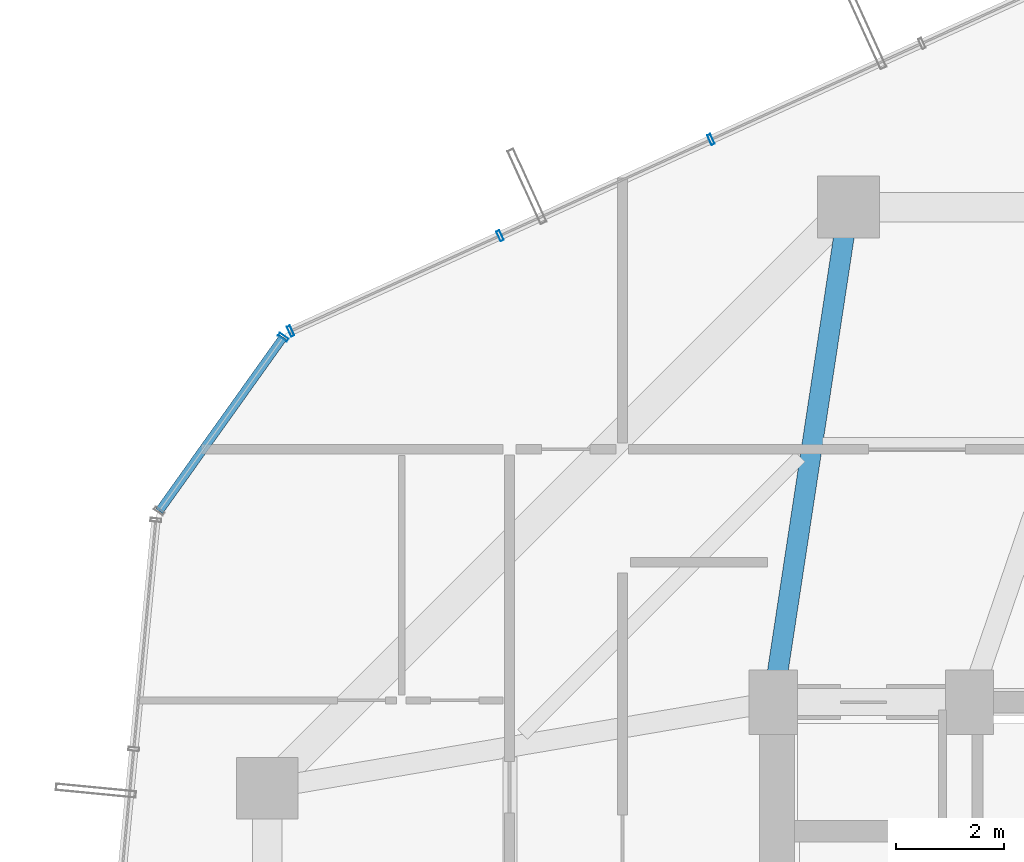
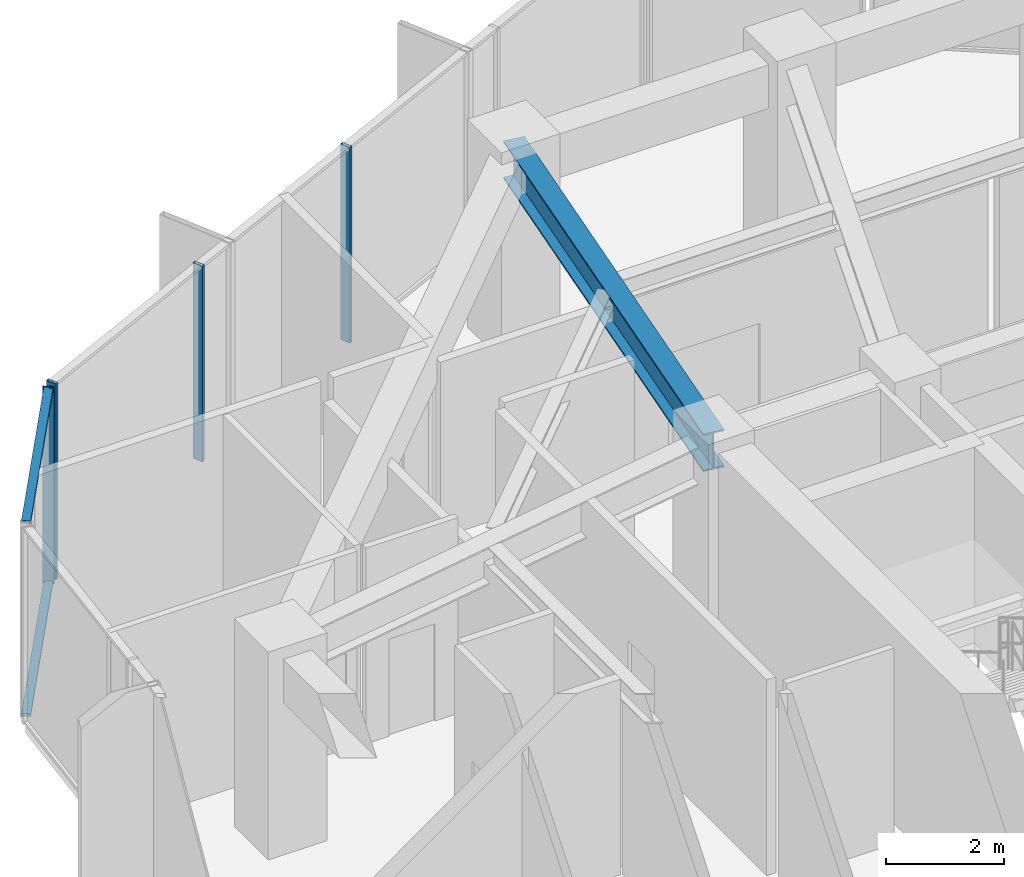
# One storey, part 15 of 25: 6 members, 1 beam, 2 elements without a shape of their own.
"""IFC4 building model written with IfcOpenShell, lengths in metres."""

import ifcopenshell
import ifcopenshell.guid

model = None  # the IFC model being written
_history = None  # IfcOwnerHistory: only IFC2X3 demands one
_inside = {}  # id of a spatial element -> (the spatial element, [elements in it])
_under = {}  # id of a project, library or spatial element -> (it, [spatial elements below it])
_declared = {}  # id of a project -> (the project, [libraries it declares])
_typed = {}  # id of a type object -> (the type object, [elements of that type])
_made_of = {}  # id of a material, layer set ... -> (it, [elements and type objects made of it])


def new_model(schema):
    """Start an empty IFC model of exactly this schema.

    Asked for "IFC4X3", IfcOpenShell would pick the latest addendum, in which some entities
    have other attributes; the version numbers below select the first issue.
    IFC2X3 requires an IfcOwnerHistory on every rooted entity: one is made here for all.
    """
    global model, _history
    if schema == "IFC4X3":
        model = ifcopenshell.file(schema_version=(4, 3, 0, 0))
    else:
        model = ifcopenshell.file(schema=schema)
    _inside.clear()
    _under.clear()
    _declared.clear()
    _typed.clear()
    _made_of.clear()
    _history = None
    if model.schema == "IFC2X3":
        org = make("IfcOrganization", Name="unknown")
        user = make(
            "IfcPersonAndOrganization",
            ThePerson=make("IfcPerson", FamilyName="unknown"),
            TheOrganization=org,
        )
        app = make(
            "IfcApplication",
            ApplicationDeveloper=org,
            Version="unknown",
            ApplicationFullName="unknown",
            ApplicationIdentifier="unknown",
        )
        _history = make(
            "IfcOwnerHistory",
            OwningUser=user,
            OwningApplication=app,
            ChangeAction="ADDED",
            CreationDate=0,
        )
    return model


def make(cls, **values):
    """One entity of the class cls with the attributes given. An attribute that is None is left unset."""
    return model.create_entity(
        cls, **{name: value for name, value in values.items() if value is not None}
    )


def rooted(cls, **values):
    """An entity with a GlobalId (a new one), such as an element, a storey or a relation."""
    return make(cls, GlobalId=ifcopenshell.guid.new(), OwnerHistory=_history, **values)


def si_unit(unit_type, name, prefix=None):
    """IfcSIUnit, for example si_unit("LENGTHUNIT", "METRE", prefix="MILLI")."""
    return make("IfcSIUnit", UnitType=unit_type, Prefix=prefix, Name=name)


def assignment(units):
    """IfcUnitAssignment: the units of a project."""
    return None if units is None else make("IfcUnitAssignment", Units=units)


def point(xyz):
    """IfcCartesianPoint."""
    return None if xyz is None else make("IfcCartesianPoint", Coordinates=xyz)


def direction(xyz):
    """IfcDirection."""
    return None if xyz is None else make("IfcDirection", DirectionRatios=xyz)


def frame(location, z_axis=None, x_axis=None):
    """IfcAxis2Placement3D, a coordinate frame: its origin and axes. An axis left out is left unset."""
    return make(
        "IfcAxis2Placement3D",
        Location=point(location),
        Axis=direction(z_axis),
        RefDirection=direction(x_axis),
    )


def frame_2d(location, x_axis=None):
    """IfcAxis2Placement2D, a coordinate frame in the plane: its origin and x axis."""
    return make(
        "IfcAxis2Placement2D", Location=point(location), RefDirection=direction(x_axis)
    )


def origin():
    """The frame at (0, 0, 0) with its axes left unset."""
    return frame((0.0, 0.0, 0.0))


def origin_2d():
    """The frame at (0, 0) in the plane with its x axis left unset."""
    return frame_2d((0.0, 0.0))


def place(relative_to, where):
    """IfcLocalPlacement: puts the frame where relative to a parent placement (None: the world)."""
    return make(
        "IfcLocalPlacement", PlacementRelTo=relative_to, RelativePlacement=where
    )


def context(
    kind, dimensions, precision=None, world=None, true_north=None, identifier=None
):
    """IfcGeometricRepresentationContext, for example the 3D "Model" context."""
    return make(
        "IfcGeometricRepresentationContext",
        ContextIdentifier=identifier,
        ContextType=kind,
        CoordinateSpaceDimension=dimensions,
        Precision=precision,
        WorldCoordinateSystem=world,
        TrueNorth=true_north,
    )


def subcontext(parent, identifier, kind, view, scale=None):
    """IfcGeometricRepresentationSubContext, for example "Body" below "Model"."""
    return make(
        "IfcGeometricRepresentationSubContext",
        ContextIdentifier=identifier,
        ContextType=kind,
        ParentContext=parent,
        TargetScale=scale,
        TargetView=view,
    )


def project(units=None, contexts=None):
    """IfcProject with its units and contexts."""
    return rooted(
        "IfcProject",
        Name="project",
        RepresentationContexts=contexts,
        UnitsInContext=assignment(units),
    )


def spatial(cls, under=None, at=None, **own):
    """A site, building, storey or space (cls), placed at a placement, below another one or the project."""
    s = rooted(cls, ObjectPlacement=at, **own)
    if under is not None:
        _under.setdefault(under.id(), (under, []))[1].append(s)
    return s


def profile(cls, at=None, kind="AREA", **sizes):
    """A parametric profile (cls). Its sizes go by their IFC names, for example OverallWidth=200.0."""
    return make(cls, ProfileType=kind, Position=at, **sizes)


def hollow_rectangle(**sizes):
    """IfcRectangleHollowProfileDef."""
    return profile("IfcRectangleHollowProfileDef", **sizes)


def i_section(**sizes):
    """IfcIShapeProfileDef."""
    return profile("IfcIShapeProfileDef", **sizes)


def extrude(swept, where, along, depth):
    """IfcExtrudedAreaSolid: the profile swept, set in the frame where, extruded along a direction by depth."""
    return make(
        "IfcExtrudedAreaSolid",
        SweptArea=swept,
        Position=where,
        ExtrudedDirection=direction(along),
        Depth=depth,
    )


def shape(context_of_items, identifier, shape_type, items):
    """IfcShapeRepresentation: the items that make up one representation, for example the "Body"."""
    return make(
        "IfcShapeRepresentation",
        ContextOfItems=context_of_items,
        RepresentationIdentifier=identifier,
        RepresentationType=shape_type,
        Items=items,
    )


def source(mapping_origin, context_of_items, identifier, shape_type, items):
    """IfcRepresentationMap: a shape defined once, which mapped items show again and again."""
    return make(
        "IfcRepresentationMap",
        MappingOrigin=mapping_origin,
        MappedRepresentation=shape(context_of_items, identifier, shape_type, items),
    )


def transform(
    local_origin,
    x_axis=None,
    y_axis=None,
    z_axis=None,
    scale=None,
    scale2=None,
    scale3=None,
    uniform=True,
):
    """IfcCartesianTransformationOperator3D, or its non-uniform kind. x_axis, y_axis, z_axis: its Axis1, 2, 3."""
    if uniform:
        return make(
            "IfcCartesianTransformationOperator3D",
            Axis1=direction(x_axis),
            Axis2=direction(y_axis),
            LocalOrigin=point(local_origin),
            Scale=scale,
            Axis3=direction(z_axis),
        )
    return make(
        "IfcCartesianTransformationOperator3DnonUniform",
        Axis1=direction(x_axis),
        Axis2=direction(y_axis),
        LocalOrigin=point(local_origin),
        Scale=scale,
        Axis3=direction(z_axis),
        Scale2=scale2,
        Scale3=scale3,
    )


def mapped(mapping_source, mapping_target):
    """IfcMappedItem: shows the shape of a source again, moved by a transform."""
    return make(
        "IfcMappedItem", MappingSource=mapping_source, MappingTarget=mapping_target
    )


def material(Name=None, Category=None):
    """IfcMaterial."""
    return make("IfcMaterial", Name=Name, Category=Category)


def layer(
    of_material, thickness, ventilated=None, Name=None, Category=None, Priority=None
):
    """IfcMaterialLayer: one layer of a wall or slab, of a material (None: an air gap)."""
    return make(
        "IfcMaterialLayer",
        Material=of_material,
        LayerThickness=thickness,
        IsVentilated=ventilated,
        Name=Name,
        Category=Category,
        Priority=Priority,
    )


def layer_set(layers, Name=None):
    """IfcMaterialLayerSet."""
    return make("IfcMaterialLayerSet", MaterialLayers=layers, LayerSetName=Name)


def material_profile(
    of_material, cross_section, Name=None, Category=None, Priority=None
):
    """IfcMaterialProfile: a cross section and its material."""
    return make(
        "IfcMaterialProfile",
        Name=Name,
        Material=of_material,
        Profile=cross_section,
        Priority=Priority,
        Category=Category,
    )


def profile_set(profiles, Name=None, composite=None):
    """IfcMaterialProfileSet."""
    return make(
        "IfcMaterialProfileSet",
        Name=Name,
        MaterialProfiles=profiles,
        CompositeProfile=composite,
    )


def made_of(thing, what):
    """Note that an element or type object is made of a material, layer set ...; save() writes the relation."""
    if what is not None:
        _made_of.setdefault(what.id(), (what, []))[1].append(thing)
    return thing


def type_object(cls, material=None, **own):
    """A type object (cls), such as IfcWallType, which elements share."""
    return made_of(rooted(cls, **own), material)


def element(
    cls,
    number,
    at=None,
    inside=None,
    cuts=None,
    type_object=None,
    material=None,
    context=None,
    identifier="Body",
    shape_type=None,
    held_by="IfcProductDefinitionShape",
    body=None,
    shapes=None,
    **own,
):
    """One element of the class cls, such as IfcWall. Its Tag is "e" and its number.

    at: its placement. inside: the storey or other place that contains it. cuts: it is an
    opening in that element (IfcRelVoidsElement). A single representation is given by context,
    identifier, shape_type and body (its items); several are given by shapes. held_by: the class
    of the entity that holds the representations. save() writes the other relations.
    """
    e = rooted(cls, Tag="e%d" % number, ObjectPlacement=at, **own)
    if body is not None:
        shapes = [shape(context, identifier, shape_type, body)]
    if shapes is not None:
        e.Representation = make(held_by, Representations=shapes)
    if inside is not None:
        _inside.setdefault(inside.id(), (inside, []))[1].append(e)
    if cuts is not None:
        rooted(
            "IfcRelVoidsElement", RelatingBuildingElement=cuts, RelatedOpeningElement=e
        )
    if type_object is not None:
        _typed.setdefault(type_object.id(), (type_object, []))[1].append(e)
    return made_of(e, material)


def aggregate(whole, parts):
    """IfcRelAggregates: a whole, such as a stair, and the parts it consists of."""
    return rooted("IfcRelAggregates", RelatingObject=whole, RelatedObjects=parts)


def save(model, path):
    """Write the relations noted so far, then the file.

    IfcRelAggregates (storeys below a building ...), IfcRelContainedInSpatialStructure (elements
    in a storey), IfcRelDefinesByType, IfcRelAssociatesMaterial and IfcRelDeclares: one each for
    every whole, place, type object, material and project.
    """
    for whole, parts in _under.values():
        aggregate(whole, parts)
    for where, things in _inside.values():
        rooted(
            "IfcRelContainedInSpatialStructure",
            RelatedElements=things,
            RelatingStructure=where,
        )
    for kind, things in _typed.values():
        rooted("IfcRelDefinesByType", RelatedObjects=things, RelatingType=kind)
    for what, things in _made_of.values():
        rooted("IfcRelAssociatesMaterial", RelatedObjects=things, RelatingMaterial=what)
    for by, libraries in _declared.values():
        rooted("IfcRelDeclares", RelatingContext=by, RelatedDefinitions=libraries)
    model.write(path)


model = new_model("IFC4")

# Units and contexts
model_context = context("Model", 3, precision=1e-05, world=origin(), true_north=direction((0.0, 1.0)))
body_context = subcontext(model_context, "Body", "Model", "MODEL_VIEW")
ifc_project = project(units=[si_unit("LENGTHUNIT", "METRE"), si_unit("AREAUNIT", "SQUARE_METRE"), si_unit("VOLUMEUNIT", "CUBIC_METRE"), si_unit("PLANEANGLEUNIT", "RADIAN"), si_unit("MASSUNIT", "GRAM", prefix="KILO")], contexts=[model_context])

# Site, building, storey
site_placement = place(None, origin())
site = spatial("IfcSite", under=ifc_project, at=site_placement, CompositionType="ELEMENT")
building_placement = place(site_placement, origin())
building = spatial("IfcBuilding", under=site, at=building_placement, Name="Veraguas Prism Commons", CompositionType="ELEMENT")
storey_placement = place(building_placement, frame((0.0, 0.0, 108.949951171875)))
storey = spatial("IfcBuildingStorey", under=building, at=storey_placement, Name="L30", CompositionType="ELEMENT", Elevation=108.949951171875)

# Beam
ifc_material_1 = material(Name="Steel ASTM A992 Grade 50", Category="steel")
ifc_material_profile_1 = material_profile(ifc_material_1, i_section(OverallWidth=0.382080078125, OverallDepth=0.779052734375, WebThickness=0.01806640625, FlangeThickness=0.030029296875, at=origin_2d()), Name="W760X284")
ifc_profile_set_1 = profile_set([ifc_material_profile_1], Name="Steel ASTM A992 Grade 50")
beam_type = type_object("IfcBeamType", Name="Assembly Primary Girder W760x284", PredefinedType="BEAM", material=ifc_profile_set_1)
beam_placement = place(storey_placement, frame((18.60009765625, 40.199951171875, 3.66064453125), z_axis=(-0.150458162136, -0.98861637729, 0.0), x_axis=(0.98861637729, -0.150458162136, 0.0)))
element("IfcBeam", 1, at=beam_placement, inside=storey, type_object=beam_type, Name="Radial Floor Girder L30-RD06", PredefinedType="BEAM", context=body_context, shape_type="SweptSolid", body=[
    extrude(i_section(OverallWidth=0.382080078125, OverallDepth=0.779052734375, WebThickness=0.01806640625, FlangeThickness=0.030029296875, at=origin_2d()), origin(), (0.0, 0.0, 1.0), 9.305908203125),
])

# Curtain wall, members
ifc_material_2 = material(Name="Anodised aluminium EN AW-6063 T6", Category="aluminium")
ifc_layer = layer(ifc_material_2, 0.199951171875, Name="Sky Lobby and Pool Acoustic Curtain Wall", Category="aluminium")
ifc_layer_set = layer_set([ifc_layer], Name="Anodised aluminium EN AW-6063 T6")
curtain_wall_type = type_object("IfcCurtainWallType", Name="Sky Lobby and Pool Acoustic Curtain Wall", PredefinedType="NOTDEFINED", material=ifc_layer_set)
curtain_wall_1_placement = place(storey_placement, origin())
curtain_wall_1 = element("IfcCurtainWall", 2, at=curtain_wall_1_placement, inside=storey, type_object=curtain_wall_type, Name="Tower Facade Curtain Wall L30-F2", PredefinedType="NOTDEFINED")
ifc_material_profile_2 = material_profile(ifc_material_2, hollow_rectangle(XDim=0.06494140625, YDim=0.199951171875, WallThickness=0.00390625, at=origin_2d()), Name="AL65X200X4")
ifc_profile_set_2 = profile_set([ifc_material_profile_2], Name="Anodised aluminium EN AW-6063 T6")
member_type_1 = type_object("IfcMemberType", Name="Curtain Wall Mullion Heavy AL 65x200x4", PredefinedType="MULLION", material=ifc_profile_set_2)
shared_shape_1 = source(origin(), body_context, "Body", "SweptSolid", [
    extrude(hollow_rectangle(XDim=0.06494140625, YDim=0.199951171875, WallThickness=0.00390625, at=origin_2d()), origin(), (0.0, 0.0, 1.0), 4.050048828125),
])
member_1_placement = place(storey_placement, frame((16.045166015625, 41.455322265625, 0.0), z_axis=(0.0, 0.0, 1.0), x_axis=(-0.909960547099, -0.414694830838, 0.0)))
member_1 = element("IfcMember", 3, at=member_1_placement, type_object=member_type_1, Name="CW-SKY Mullion 3", PredefinedType="MULLION", context=body_context, shape_type="MappedRepresentation", body=[
    mapped(shared_shape_1, transform((0.0, 0.0, 0.0), scale=1.0)),
])
member_2_placement = place(storey_placement, frame((12.12451171875, 39.66845703125, 0.0), z_axis=(0.0, 0.0, 1.0), x_axis=(-0.909960547099, -0.414694830838, 0.0)))
member_2 = element("IfcMember", 4, at=member_2_placement, type_object=member_type_1, Name="CW-SKY Mullion 4", PredefinedType="MULLION", context=body_context, shape_type="MappedRepresentation", body=[
    mapped(shared_shape_1, transform((0.0, 0.0, 0.0), scale=1.0)),
])
member_3_placement = place(storey_placement, frame((8.2333984375, 37.895263671875, 0.0), z_axis=(0.0, 0.0, 1.0), x_axis=(-0.909960547099, -0.414694830838, 0.0)))
member_3 = element("IfcMember", 5, at=member_3_placement, type_object=member_type_1, Name="CW-SKY Mullion 5", PredefinedType="MULLION", context=body_context, shape_type="MappedRepresentation", body=[
    mapped(shared_shape_1, transform((0.0, 0.0, 0.0), scale=1.0)),
])
aggregate(curtain_wall_1, [member_1, member_2, member_3])

curtain_wall_2_placement = place(storey_placement, origin())
curtain_wall_2 = element("IfcCurtainWall", 6, at=curtain_wall_2_placement, inside=storey, type_object=curtain_wall_type, Name="Chamfer Curtain Wall L30-C3", PredefinedType="NOTDEFINED")
member_4_placement = place(storey_placement, frame((8.095703125, 37.78173828125, 0.0), z_axis=(0.0, 0.0, 1.0), x_axis=(-0.580720006379, -0.814103355964, 0.0)))
member_4 = element("IfcMember", 7, at=member_4_placement, type_object=member_type_1, Name="CW-SKY Mullion 1", PredefinedType="MULLION", context=body_context, shape_type="MappedRepresentation", body=[
    mapped(shared_shape_1, transform((0.0, 0.0, 0.0), scale=1.0)),
])
ifc_material_profile_3 = material_profile(ifc_material_2, hollow_rectangle(XDim=0.06005859375, YDim=0.159912109375, WallThickness=0.0029296875, at=origin_2d()), Name="AL60X160X3")
ifc_profile_set_3 = profile_set([ifc_material_profile_3], Name="Anodised aluminium EN AW-6063 T6")
member_type_2 = type_object("IfcMemberType", Name="Curtain Wall Transom Heavy AL 60x160x3", PredefinedType="USERDEFINED", material=ifc_profile_set_3)
shared_shape_2 = source(origin(), body_context, "Body", "SweptSolid", [
    extrude(hollow_rectangle(XDim=0.06005859375, YDim=0.159912109375, WallThickness=0.0029296875, at=origin_2d()), origin(), (0.0, 0.0, 1.0), 3.96826171875),
])
member_5_placement = place(storey_placement, frame((8.095703125, 37.78173828125, 0.030029296875), z_axis=(-0.580702663453, -0.814115726822, 0.0), x_axis=(0.0, 0.0, 1.0)))
member_5 = element("IfcMember", 8, at=member_5_placement, type_object=member_type_2, Name="CW-SKY Transom 1", ObjectType="TRANSOM", PredefinedType="USERDEFINED", context=body_context, shape_type="MappedRepresentation", body=[
    mapped(shared_shape_2, transform((0.0, 0.0, 0.0), scale=1.0)),
])
member_6_placement = place(storey_placement, frame((8.095703125, 37.78173828125, 4.02001953125), z_axis=(-0.580702663453, -0.814115726822, 0.0), x_axis=(0.0, 0.0, 1.0)))
member_6 = element("IfcMember", 9, at=member_6_placement, type_object=member_type_2, Name="CW-SKY Transom 2", ObjectType="TRANSOM", PredefinedType="USERDEFINED", context=body_context, shape_type="MappedRepresentation", body=[
    mapped(shared_shape_2, transform((0.0, 0.0, 0.0), scale=1.0)),
])
aggregate(curtain_wall_2, [member_4, member_5, member_6])

save(model, "model.ifc")
